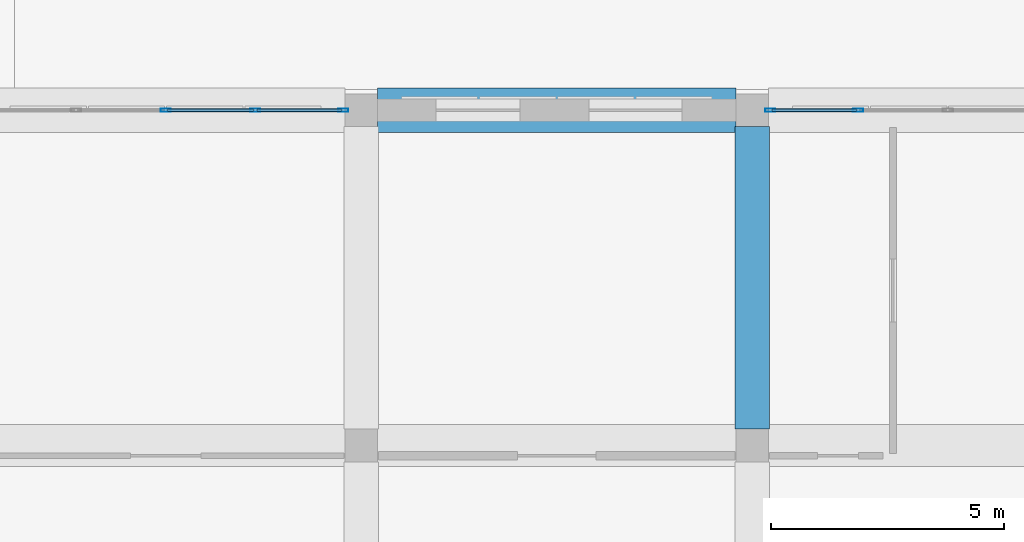
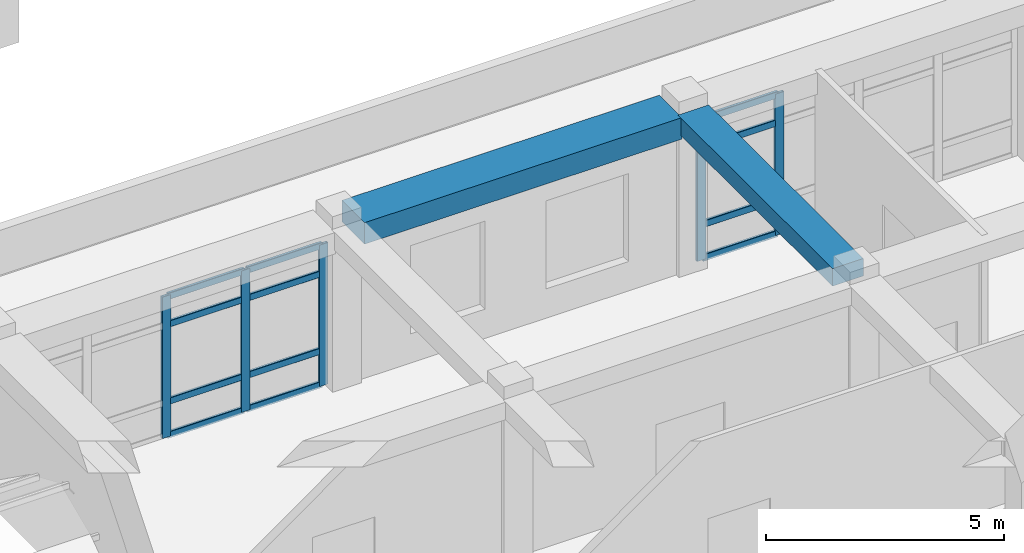
# One storey, part 19 of 100: 17 members, 2 beams, 2 elements without a shape of their own.
"""IFC4 building model written with IfcOpenShell, lengths in metres."""

from ifc_helpers import new_model, si_unit, derived_unit, direction, frame, origin, origin_2d, place, context, subcontext, project, spatial, rectangle, hollow_rectangle, extrude, material, material_profile, profile_set, type_object, element, aggregate, save


model = new_model("IFC4")

# Units and contexts
model_context = context("Model", 3, precision=1e-05, world=origin(), true_north=direction((0.0, 1.0)))
body_context = subcontext(model_context, "Body", "Model", "MODEL_VIEW")
ifc_project = project(units=[si_unit("LENGTHUNIT", "METRE"), si_unit("AREAUNIT", "SQUARE_METRE"), si_unit("VOLUMEUNIT", "CUBIC_METRE"), si_unit("PLANEANGLEUNIT", "RADIAN"), si_unit("MASSUNIT", "GRAM", prefix="KILO"), derived_unit("THERMALTRANSMITTANCEUNIT", [(si_unit("POWERUNIT", "WATT"), 1), (si_unit("LENGTHUNIT", "METRE"), -2), (si_unit("THERMODYNAMICTEMPERATUREUNIT", "KELVIN"), -1)])], contexts=[model_context])

# Site, building, storey
site_placement = place(None, origin())
site = spatial("IfcSite", under=ifc_project, at=site_placement, CompositionType="ELEMENT")
building_placement = place(site_placement, origin())
building = spatial("IfcBuilding", under=site, at=building_placement, Name="Veybourne Emporium", CompositionType="ELEMENT")
storey_placement = place(building_placement, frame((0.0, 0.0, 14.39990234375)))
storey = spatial("IfcBuildingStorey", under=building, at=storey_placement, Name="L03", CompositionType="ELEMENT", Elevation=14.39990234375)

# Curtain wall, members
ifc_material_1 = material(Name="Patinated Architectural Bronze", Category="bronze")
curtain_wall_type_1 = type_object("IfcCurtainWallType", Name="CWSystem_CWS-21", PredefinedType="NOTDEFINED", material=ifc_material_1)
curtain_wall_1_placement = place(storey_placement, origin())
curtain_wall_1 = element("IfcCurtainWall", 1, at=curtain_wall_1_placement, inside=storey, type_object=curtain_wall_type_1, Name="L03 bronze glazed curtain wall CWS-21 (063)", PredefinedType="NOTDEFINED")
ifc_material_profile_1 = material_profile(ifc_material_1, hollow_rectangle(XDim=0.072021484375, YDim=0.22509765625, WallThickness=0.0048828125, InnerFilletRadius=0.007568359375, OuterFilletRadius=0.012451171875, at=origin_2d()), Name="CWM 72x225x5")
ifc_profile_set_1 = profile_set([ifc_material_profile_1], Name="Patinated Architectural Bronze")
member_type_1 = type_object("IfcMemberType", Name="CWMullion_CW-M1", PredefinedType="MULLION", material=ifc_profile_set_1)
member_1_placement = place(storey_placement, frame((109.5859375, 21.60009765625, 0.0), z_axis=(0.0, 0.0, 1.0), x_axis=(0.0, 1.0, 0.0)))
member_1 = element("IfcMember", 2, at=member_1_placement, type_object=member_type_1, Name="CWS-21 mullion 1", PredefinedType="MULLION", context=body_context, shape_type="SweptSolid", body=[
    extrude(hollow_rectangle(XDim=0.072021484375, YDim=0.22509765625, WallThickness=0.0048828125, InnerFilletRadius=0.007568359375, OuterFilletRadius=0.012451171875, at=origin_2d()), origin(), (0.0, 0.0, 1.0), 3.630126953125),
])
member_2_placement = place(storey_placement, frame((111.47509765625, 21.60009765625, 0.0), z_axis=(0.0, 0.0, 1.0), x_axis=(0.0, 1.0, 0.0)))
member_2 = element("IfcMember", 3, at=member_2_placement, type_object=member_type_1, Name="CWS-21 mullion 2", PredefinedType="MULLION", context=body_context, shape_type="SweptSolid", body=[
    extrude(hollow_rectangle(XDim=0.072021484375, YDim=0.22509765625, WallThickness=0.0048828125, InnerFilletRadius=0.007568359375, OuterFilletRadius=0.012451171875, at=origin_2d()), origin(), (0.0, 0.0, 1.0), 3.630126953125),
])

curtain_wall_type_2 = type_object("IfcCurtainWallType", Name="CWSystem_CWS-20", PredefinedType="NOTDEFINED", material=ifc_material_1)
curtain_wall_2_placement = place(storey_placement, origin())
curtain_wall_2 = element("IfcCurtainWall", 4, at=curtain_wall_2_placement, inside=storey, type_object=curtain_wall_type_2, Name="L03 bronze glazed curtain wall CWS-20 (051)", PredefinedType="NOTDEFINED")
ifc_material_profile_2 = material_profile(ifc_material_1, hollow_rectangle(XDim=0.070068359375, YDim=0.219970703125, WallThickness=0.0048828125, InnerFilletRadius=0.007568359375, OuterFilletRadius=0.012451171875, at=origin_2d()), Name="CWM 70x220x5")
ifc_profile_set_2 = profile_set([ifc_material_profile_2], Name="Patinated Architectural Bronze")
member_type_2 = type_object("IfcMemberType", Name="CWMullion_CW-M4", PredefinedType="MULLION", material=ifc_profile_set_2)
member_3_placement = place(storey_placement, frame((96.60009765625, 21.60009765625, 0.0), z_axis=(0.0, 0.0, 1.0), x_axis=(0.0, 1.0, 0.0)))
member_3 = element("IfcMember", 5, at=member_3_placement, type_object=member_type_2, Name="CWS-20 mullion 3", PredefinedType="MULLION", context=body_context, shape_type="SweptSolid", body=[
    extrude(hollow_rectangle(XDim=0.070068359375, YDim=0.219970703125, WallThickness=0.0048828125, InnerFilletRadius=0.007568359375, OuterFilletRadius=0.012451171875, at=origin_2d()), origin(), (0.0, 0.0, 1.0), 3.630126953125),
])
member_4_placement = place(storey_placement, frame((98.52490234375, 21.60009765625, 0.0), z_axis=(0.0, 0.0, 1.0), x_axis=(0.0, 1.0, 0.0)))
member_4 = element("IfcMember", 6, at=member_4_placement, type_object=member_type_2, Name="CWS-20 mullion 4", PredefinedType="MULLION", context=body_context, shape_type="SweptSolid", body=[
    extrude(hollow_rectangle(XDim=0.070068359375, YDim=0.219970703125, WallThickness=0.0048828125, InnerFilletRadius=0.007568359375, OuterFilletRadius=0.012451171875, at=origin_2d()), origin(), (0.0, 0.0, 1.0), 3.630126953125),
])
member_5_placement = place(storey_placement, frame((100.4150390625, 21.60009765625, 0.0), z_axis=(0.0, 0.0, 1.0), x_axis=(0.0, 1.0, 0.0)))
member_5 = element("IfcMember", 7, at=member_5_placement, type_object=member_type_2, Name="CWS-20 mullion 5", PredefinedType="MULLION", context=body_context, shape_type="SweptSolid", body=[
    extrude(hollow_rectangle(XDim=0.070068359375, YDim=0.219970703125, WallThickness=0.0048828125, InnerFilletRadius=0.007568359375, OuterFilletRadius=0.012451171875, at=origin_2d()), origin(), (0.0, 0.0, 1.0), 3.630126953125),
])

# Member
ifc_material_profile_3 = material_profile(ifc_material_1, hollow_rectangle(XDim=0.072021484375, YDim=0.175048828125, WallThickness=0.0048828125, InnerFilletRadius=0.007568359375, OuterFilletRadius=0.012451171875, at=origin_2d()), Name="CWT 72x175x5")
ifc_profile_set_3 = profile_set([ifc_material_profile_3], Name="Patinated Architectural Bronze")
member_type_3 = type_object("IfcMemberType", Name="CWTransom_CW-T1", PredefinedType="NOTDEFINED", material=ifc_profile_set_3)
member_6_placement = place(storey_placement, frame((109.6220703125, 21.60009765625, 0.0361328125), z_axis=(1.0, 0.0, 0.0), x_axis=(0.0, 1.0, 0.0)))
member_6 = element("IfcMember", 8, at=member_6_placement, type_object=member_type_3, Name="CWS-21 transom 1.1", ObjectType="TRANSOM", PredefinedType="USERDEFINED", context=body_context, shape_type="SweptSolid", body=[
    extrude(hollow_rectangle(XDim=0.072021484375, YDim=0.175048828125, WallThickness=0.0048828125, InnerFilletRadius=0.007568359375, OuterFilletRadius=0.012451171875, at=origin_2d()), origin(), (0.0, 0.0, 1.0), 1.81689453125),
])

member_7_placement = place(storey_placement, frame((109.6220703125, 21.60009765625, 0.900146484375), z_axis=(1.0, 0.0, 0.0), x_axis=(0.0, 1.0, 0.0)))
member_7 = element("IfcMember", 9, at=member_7_placement, type_object=member_type_3, Name="CWS-21 transom 1.2", ObjectType="TRANSOM", PredefinedType="USERDEFINED", context=body_context, shape_type="SweptSolid", body=[
    extrude(hollow_rectangle(XDim=0.072021484375, YDim=0.175048828125, WallThickness=0.0048828125, InnerFilletRadius=0.007568359375, OuterFilletRadius=0.012451171875, at=origin_2d()), origin(), (0.0, 0.0, 1.0), 1.81689453125),
])

member_8_placement = place(storey_placement, frame((109.6220703125, 21.60009765625, 2.880126953125), z_axis=(1.0, 0.0, 0.0), x_axis=(0.0, 1.0, 0.0)))
member_8 = element("IfcMember", 10, at=member_8_placement, type_object=member_type_3, Name="CWS-21 transom 1.3", ObjectType="TRANSOM", PredefinedType="USERDEFINED", context=body_context, shape_type="SweptSolid", body=[
    extrude(hollow_rectangle(XDim=0.072021484375, YDim=0.175048828125, WallThickness=0.0048828125, InnerFilletRadius=0.007568359375, OuterFilletRadius=0.012451171875, at=origin_2d()), origin(), (0.0, 0.0, 1.0), 1.81689453125),
])

member_9_placement = place(storey_placement, frame((109.6220703125, 21.60009765625, 3.593994140625), z_axis=(1.0, 0.0, 0.0), x_axis=(0.0, 1.0, 0.0)))
member_9 = element("IfcMember", 11, at=member_9_placement, type_object=member_type_3, Name="CWS-21 transom 1.4", ObjectType="TRANSOM", PredefinedType="USERDEFINED", context=body_context, shape_type="SweptSolid", body=[
    extrude(hollow_rectangle(XDim=0.072021484375, YDim=0.175048828125, WallThickness=0.0048828125, InnerFilletRadius=0.007568359375, OuterFilletRadius=0.012451171875, at=origin_2d()), origin(), (0.0, 0.0, 1.0), 1.81689453125),
])

aggregate(curtain_wall_1, [member_1, member_2, member_6, member_7, member_8, member_9])

ifc_material_profile_4 = material_profile(ifc_material_1, hollow_rectangle(XDim=0.070068359375, YDim=0.169921875, WallThickness=0.0048828125, InnerFilletRadius=0.007568359375, OuterFilletRadius=0.012451171875, at=origin_2d()), Name="CWT 70x170x5")
ifc_profile_set_4 = profile_set([ifc_material_profile_4], Name="Patinated Architectural Bronze")
member_type_4 = type_object("IfcMemberType", Name="CWTransom_CW-T4", PredefinedType="NOTDEFINED", material=ifc_profile_set_4)
member_10_placement = place(storey_placement, frame((96.635009765625, 21.60009765625, 0.03515625), z_axis=(1.0, 0.0, 0.0), x_axis=(0.0, 1.0, 0.0)))
member_10 = element("IfcMember", 12, at=member_10_placement, type_object=member_type_4, Name="CWS-20 transom 3.1", ObjectType="TRANSOM", PredefinedType="USERDEFINED", context=body_context, shape_type="SweptSolid", body=[
    extrude(hollow_rectangle(XDim=0.070068359375, YDim=0.169921875, WallThickness=0.0048828125, InnerFilletRadius=0.007568359375, OuterFilletRadius=0.012451171875, at=origin_2d()), origin(), (0.0, 0.0, 1.0), 1.85498046875),
])

member_11_placement = place(storey_placement, frame((96.635009765625, 21.60009765625, 0.900146484375), z_axis=(1.0, 0.0, 0.0), x_axis=(0.0, 1.0, 0.0)))
member_11 = element("IfcMember", 13, at=member_11_placement, type_object=member_type_4, Name="CWS-20 transom 3.2", ObjectType="TRANSOM", PredefinedType="USERDEFINED", context=body_context, shape_type="SweptSolid", body=[
    extrude(hollow_rectangle(XDim=0.070068359375, YDim=0.169921875, WallThickness=0.0048828125, InnerFilletRadius=0.007568359375, OuterFilletRadius=0.012451171875, at=origin_2d()), origin(), (0.0, 0.0, 1.0), 1.85498046875),
])

member_12_placement = place(storey_placement, frame((96.635009765625, 21.60009765625, 2.880126953125), z_axis=(1.0, 0.0, 0.0), x_axis=(0.0, 1.0, 0.0)))
member_12 = element("IfcMember", 14, at=member_12_placement, type_object=member_type_4, Name="CWS-20 transom 3.3", ObjectType="TRANSOM", PredefinedType="USERDEFINED", context=body_context, shape_type="SweptSolid", body=[
    extrude(hollow_rectangle(XDim=0.070068359375, YDim=0.169921875, WallThickness=0.0048828125, InnerFilletRadius=0.007568359375, OuterFilletRadius=0.012451171875, at=origin_2d()), origin(), (0.0, 0.0, 1.0), 1.85498046875),
])

member_13_placement = place(storey_placement, frame((96.635009765625, 21.60009765625, 3.59521484375), z_axis=(1.0, 0.0, 0.0), x_axis=(0.0, 1.0, 0.0)))
member_13 = element("IfcMember", 15, at=member_13_placement, type_object=member_type_4, Name="CWS-20 transom 3.4", ObjectType="TRANSOM", PredefinedType="USERDEFINED", context=body_context, shape_type="SweptSolid", body=[
    extrude(hollow_rectangle(XDim=0.070068359375, YDim=0.169921875, WallThickness=0.0048828125, InnerFilletRadius=0.007568359375, OuterFilletRadius=0.012451171875, at=origin_2d()), origin(), (0.0, 0.0, 1.0), 1.85498046875),
])

member_14_placement = place(storey_placement, frame((98.56005859375, 21.60009765625, 0.03515625), z_axis=(1.0, 0.0, 0.0), x_axis=(0.0, 1.0, 0.0)))
member_14 = element("IfcMember", 16, at=member_14_placement, type_object=member_type_4, Name="CWS-20 transom 4.1", ObjectType="TRANSOM", PredefinedType="USERDEFINED", context=body_context, shape_type="SweptSolid", body=[
    extrude(hollow_rectangle(XDim=0.070068359375, YDim=0.169921875, WallThickness=0.0048828125, InnerFilletRadius=0.007568359375, OuterFilletRadius=0.012451171875, at=origin_2d()), origin(), (0.0, 0.0, 1.0), 1.81982421875),
])

member_15_placement = place(storey_placement, frame((98.56005859375, 21.60009765625, 0.900146484375), z_axis=(1.0, 0.0, 0.0), x_axis=(0.0, 1.0, 0.0)))
member_15 = element("IfcMember", 17, at=member_15_placement, type_object=member_type_4, Name="CWS-20 transom 4.2", ObjectType="TRANSOM", PredefinedType="USERDEFINED", context=body_context, shape_type="SweptSolid", body=[
    extrude(hollow_rectangle(XDim=0.070068359375, YDim=0.169921875, WallThickness=0.0048828125, InnerFilletRadius=0.007568359375, OuterFilletRadius=0.012451171875, at=origin_2d()), origin(), (0.0, 0.0, 1.0), 1.81982421875),
])

member_16_placement = place(storey_placement, frame((98.56005859375, 21.60009765625, 2.880126953125), z_axis=(1.0, 0.0, 0.0), x_axis=(0.0, 1.0, 0.0)))
member_16 = element("IfcMember", 18, at=member_16_placement, type_object=member_type_4, Name="CWS-20 transom 4.3", ObjectType="TRANSOM", PredefinedType="USERDEFINED", context=body_context, shape_type="SweptSolid", body=[
    extrude(hollow_rectangle(XDim=0.070068359375, YDim=0.169921875, WallThickness=0.0048828125, InnerFilletRadius=0.007568359375, OuterFilletRadius=0.012451171875, at=origin_2d()), origin(), (0.0, 0.0, 1.0), 1.81982421875),
])

member_17_placement = place(storey_placement, frame((98.56005859375, 21.60009765625, 3.59521484375), z_axis=(1.0, 0.0, 0.0), x_axis=(0.0, 1.0, 0.0)))
member_17 = element("IfcMember", 19, at=member_17_placement, type_object=member_type_4, Name="CWS-20 transom 4.4", ObjectType="TRANSOM", PredefinedType="USERDEFINED", context=body_context, shape_type="SweptSolid", body=[
    extrude(hollow_rectangle(XDim=0.070068359375, YDim=0.169921875, WallThickness=0.0048828125, InnerFilletRadius=0.007568359375, OuterFilletRadius=0.012451171875, at=origin_2d()), origin(), (0.0, 0.0, 1.0), 1.81982421875),
])

aggregate(curtain_wall_2, [member_3, member_4, member_5, member_10, member_11, member_12, member_13, member_14, member_15, member_16, member_17])

# Beams
ifc_material_2 = material(Name="Concrete C32/40", Category="concrete")
ifc_material_profile_5 = material_profile(ifc_material_2, rectangle(XDim=0.75, YDim=0.449951171875, at=origin_2d()), Name="RC 750x450")
ifc_profile_set_5 = profile_set([ifc_material_profile_5], Name="Concrete C32/40")
beam_type_1 = type_object("IfcBeamType", Name="RCBeam_BB-04", PredefinedType="BEAM", material=ifc_profile_set_5)
beam_1_placement = place(storey_placement, frame((109.199951171875, 14.75, 3.955078125), z_axis=(0.0, 1.0, 0.0), x_axis=(-1.0, 0.0, 0.0)))
element("IfcBeam", 20, at=beam_1_placement, inside=storey, type_object=beam_type_1, Name="L03 Y-grid beam BB-04 (13,2)", PredefinedType="BEAM", context=body_context, shape_type="SweptSolid", body=[
    extrude(rectangle(XDim=0.75, YDim=0.449951171875, at=origin_2d()), origin(), (0.0, 0.0, 1.0), 6.5),
])
ifc_material_profile_6 = material_profile(ifc_material_2, rectangle(XDim=0.949951171875, YDim=0.550048828125, at=origin_2d()), Name="RC 950x550")
ifc_profile_set_6 = profile_set([ifc_material_profile_6], Name="Concrete C32/40")
beam_type_2 = type_object("IfcBeamType", Name="RCBeam_EB-01", PredefinedType="SPANDREL", material=ifc_profile_set_6)
beam_2_placement = place(storey_placement, frame((101.14990234375, 21.60009765625, 3.905029296875), z_axis=(1.0, 0.0, 0.0), x_axis=(0.0, 1.0, 0.0)))
element("IfcBeam", 21, at=beam_2_placement, inside=storey, type_object=beam_type_2, Name="L03 X-grid beam EB-01 (12,3)", PredefinedType="SPANDREL", context=body_context, shape_type="SweptSolid", body=[
    extrude(rectangle(XDim=0.949951171875, YDim=0.550048828125, at=origin_2d()), origin(), (0.0, 0.0, 1.0), 7.7001953125),
])

save(model, "model.ifc")
